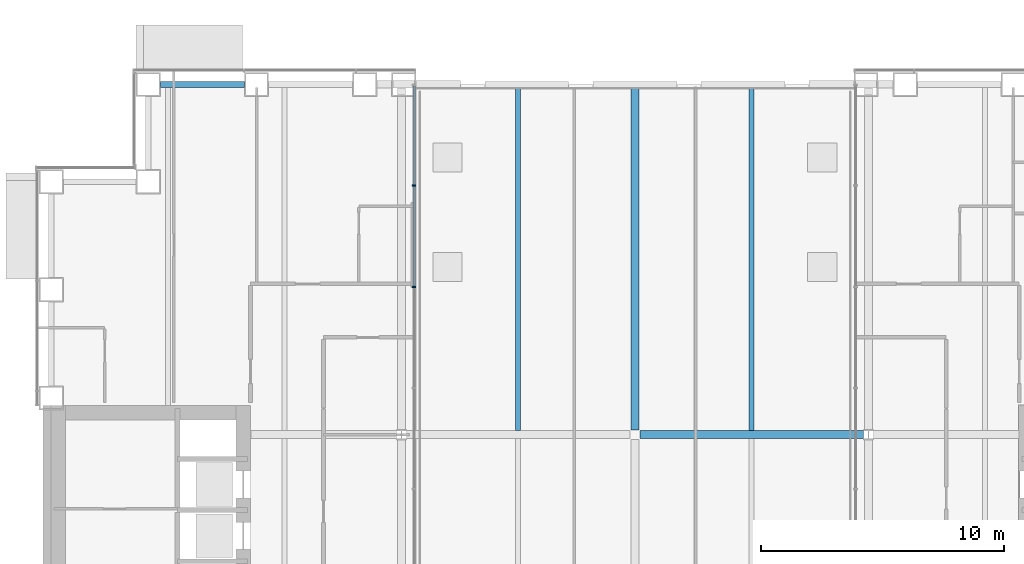
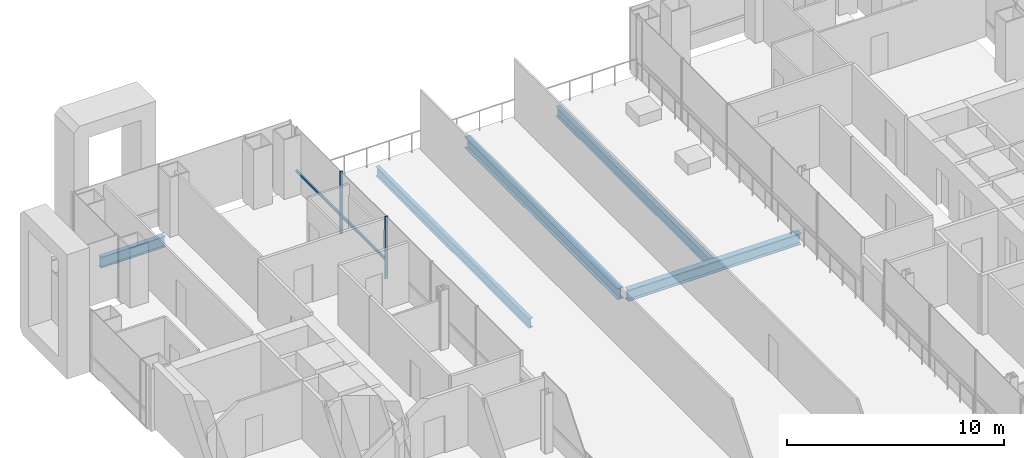
# One storey, part 8 of 24: 5 beams, 4 members, 1 element without a shape of its own.
"""IFC4 building model written with IfcOpenShell, lengths in metres."""

from ifc_helpers import new_model, si_unit, direction, frame, origin, origin_2d, place, context, subcontext, project, spatial, rectangle, i_section, extrude, material, material_profile, profile_set, type_object, element, aggregate, save


model = new_model("IFC4")

# Units and contexts
model_context = context("Model", 3, precision=1e-05, world=origin(), true_north=direction((0.0, 1.0)))
body_context = subcontext(model_context, "Body", "Model", "MODEL_VIEW")
ifc_project = project(units=[si_unit("LENGTHUNIT", "METRE"), si_unit("AREAUNIT", "SQUARE_METRE"), si_unit("VOLUMEUNIT", "CUBIC_METRE"), si_unit("PLANEANGLEUNIT", "RADIAN"), si_unit("MASSUNIT", "GRAM", prefix="KILO")], contexts=[model_context])

# Site, building, storey
site_placement = place(None, origin())
site = spatial("IfcSite", under=ifc_project, at=site_placement, CompositionType="ELEMENT")
building_placement = place(site_placement, origin())
building = spatial("IfcBuilding", under=site, at=building_placement, Name="Cobrizo Arcos Hotel Tower", CompositionType="ELEMENT")
storey_placement = place(building_placement, frame((0.0, 0.0, 60.0)))
storey = spatial("IfcBuildingStorey", under=building, at=storey_placement, Name="L13", CompositionType="ELEMENT", Elevation=60.0)

# Curtain wall, members
ifc_material_1 = material(Name="Aluminium 6063-T6 anodised bronze", Category="aluminium")
curtain_wall_type = type_object("IfcCurtainWallType", Name="CW-F void screen", PredefinedType="NOTDEFINED", material=ifc_material_1)
curtain_wall_placement = place(storey_placement, origin())
curtain_wall = element("IfcCurtainWall", 1, at=curtain_wall_placement, inside=storey, type_object=curtain_wall_type, Name="CW-F L13 void screen A", PredefinedType="NOTDEFINED")
ifc_material_profile_1 = material_profile(ifc_material_1, rectangle(XDim=0.14990234375, YDim=0.06005859375, at=origin_2d()), Name="CW-F mullion 150x60")
ifc_profile_set_1 = profile_set([ifc_material_profile_1], Name="Aluminium 6063-T6 anodised bronze")
member_type_1 = type_object("IfcMemberType", Name="CW-F mullion 150x60", PredefinedType="MULLION", material=ifc_profile_set_1)
member_1_placement = place(storey_placement, frame((-9.074951171875, 19.840087890625, 0.0), z_axis=(0.0, 0.0, 1.0), x_axis=(-1.0, 0.0, 0.0)))
member_1 = element("IfcMember", 2, at=member_1_placement, type_object=member_type_1, Name="CW-F mullion 2", PredefinedType="MULLION", context=body_context, shape_type="SweptSolid", body=[
    extrude(rectangle(XDim=0.14990234375, YDim=0.06005859375, at=origin_2d()), origin(), (0.0, 0.0, 1.0), 3.5),
])
member_2_placement = place(storey_placement, frame((-9.074951171875, 15.679931640625, 0.0), z_axis=(0.0, 0.0, 1.0), x_axis=(-1.0, 0.0, 0.0)))
member_2 = element("IfcMember", 3, at=member_2_placement, type_object=member_type_1, Name="CW-F mullion 3", PredefinedType="MULLION", context=body_context, shape_type="SweptSolid", body=[
    extrude(rectangle(XDim=0.14990234375, YDim=0.06005859375, at=origin_2d()), origin(), (0.0, 0.0, 1.0), 3.5),
])
ifc_material_profile_2 = material_profile(ifc_material_1, rectangle(XDim=0.10009765625, YDim=0.1201171875, at=origin_2d()), Name="CW-F transom 120x100")
ifc_profile_set_2 = profile_set([ifc_material_profile_2], Name="Aluminium 6063-T6 anodised bronze")
member_type_2 = type_object("IfcMemberType", Name="CW-F transom 120x100", PredefinedType="USERDEFINED", material=ifc_profile_set_2)
member_3_placement = place(storey_placement, frame((-9.074951171875, 23.93994140625, 1.050048828125), z_axis=(0.0, -1.0, 0.0), x_axis=(1.0, 0.0, 0.0)))
member_3 = element("IfcMember", 4, at=member_3_placement, type_object=member_type_2, Name="CW-F transom 2437", ObjectType="TRANSOM", PredefinedType="USERDEFINED", context=body_context, shape_type="SweptSolid", body=[
    extrude(rectangle(XDim=0.10009765625, YDim=0.1201171875, at=origin_2d()), origin(), (0.0, 0.0, 1.0), 4.06982421875),
])
member_4_placement = place(storey_placement, frame((-9.074951171875, 19.81005859375, 1.050048828125), z_axis=(0.0, -1.0, 0.0), x_axis=(1.0, 0.0, 0.0)))
member_4 = element("IfcMember", 5, at=member_4_placement, type_object=member_type_2, Name="CW-F transom 2438", ObjectType="TRANSOM", PredefinedType="USERDEFINED", context=body_context, shape_type="SweptSolid", body=[
    extrude(rectangle(XDim=0.10009765625, YDim=0.1201171875, at=origin_2d()), origin(), (0.0, 0.0, 1.0), 4.10009765625),
])
aggregate(curtain_wall, [member_1, member_2, member_3, member_4])

# Beams
ifc_material_2 = material(Name="Steel ASTM A992 Grade 50", Category="steel")
ifc_material_profile_3 = material_profile(ifc_material_2, i_section(OverallWidth=0.209228515625, OverallDepth=0.533447265625, WebThickness=0.01025390625, FlangeThickness=0.015625, at=origin_2d()), Name="W21X62")
ifc_profile_set_3 = profile_set([ifc_material_profile_3], Name="Steel ASTM A992 Grade 50")
beam_type_1 = type_object("IfcBeamType", Name="W21X62 joist", PredefinedType="JOIST", material=ifc_profile_set_3)
for number, where, z_axis, x_axis, name in (
    (6, (-4.800048828125, 9.763916015625, -0.416748046875), (0.0, 1.0, 0.0), (-1.0, 0.0, 0.0), "Floor joist J1, L13, no. 010"),
    (7, (4.800048828125, 9.763916015625, -0.416748046875), (0.0, 1.0, 0.0), (-1.0, 0.0, 0.0), "Floor joist J1, L13, no. 014"),
):
    element("IfcBeam", number, at=place(storey_placement, frame(where, z_axis=z_axis, x_axis=x_axis)), inside=storey, type_object=beam_type_1, Name=name, PredefinedType="JOIST", context=body_context, shape_type="SweptSolid", body=[
        extrude(i_section(OverallWidth=0.209228515625, OverallDepth=0.533447265625, WebThickness=0.01025390625, FlangeThickness=0.015625, at=origin_2d()), origin(), (0.0, 0.0, 1.0), 14.14599609375),
    ])
ifc_material_profile_4 = material_profile(ifc_material_2, i_section(OverallWidth=0.32763671875, OverallDepth=0.622314453125, WebThickness=0.015380859375, FlangeThickness=0.0244140625, at=origin_2d()), Name="W24X131")
ifc_profile_set_4 = profile_set([ifc_material_profile_4], Name="Steel ASTM A992 Grade 50")
beam_type_2 = type_object("IfcBeamType", Name="W24X131 girder", PredefinedType="BEAM", material=ifc_profile_set_4)
beam_1_placement = place(storey_placement, frame((0.204345703125, 9.60009765625, -0.461181640625), z_axis=(1.0, 0.0, 0.0), x_axis=(0.0, 1.0, 0.0)))
element("IfcBeam", 8, at=beam_1_placement, inside=storey, type_object=beam_type_2, Name="Floor girder G1, L13, no. 011", PredefinedType="BEAM", context=body_context, shape_type="SweptSolid", body=[
    extrude(i_section(OverallWidth=0.32763671875, OverallDepth=0.622314453125, WebThickness=0.015380859375, FlangeThickness=0.0244140625, at=origin_2d()), origin(), (0.0, 0.0, 1.0), 9.191162109375),
])
beam_2_placement = place(storey_placement, frame((0.0, 9.804443359375, -0.461181640625), z_axis=(0.0, 1.0, 0.0), x_axis=(-1.0, 0.0, 0.0)))
element("IfcBeam", 9, at=beam_2_placement, inside=storey, type_object=beam_type_2, Name="Floor girder G1, L13, no. 020", PredefinedType="BEAM", context=body_context, shape_type="SweptSolid", body=[
    extrude(i_section(OverallWidth=0.32763671875, OverallDepth=0.622314453125, WebThickness=0.015380859375, FlangeThickness=0.0244140625, at=origin_2d()), origin(), (0.0, 0.0, 1.0), 14.10546875),
])
ifc_material_profile_5 = material_profile(ifc_material_2, i_section(OverallWidth=0.23046875, OverallDepth=0.6171875, WebThickness=0.01318359375, FlangeThickness=0.022216796875, at=origin_2d()), Name="W24X94")
ifc_profile_set_5 = profile_set([ifc_material_profile_5], Name="Steel ASTM A992 Grade 50")
beam_type_3 = type_object("IfcBeamType", Name="W24X94 spandrel", PredefinedType="SPANDREL", material=ifc_profile_set_5)
beam_3_placement = place(storey_placement, frame((-16.055908203125, 24.0, -0.45849609375), z_axis=(-1.0, 0.0, 0.0), x_axis=(0.0, -1.0, 0.0)))
element("IfcBeam", 10, at=beam_3_placement, inside=storey, type_object=beam_type_3, Name="Spandrel beam W24X94, L13, no. 022", PredefinedType="SPANDREL", context=body_context, shape_type="SweptSolid", body=[
    extrude(i_section(OverallWidth=0.23046875, OverallDepth=0.6171875, WebThickness=0.01318359375, FlangeThickness=0.022216796875, at=origin_2d()), origin(), (0.0, 0.0, 1.0), 3.444091796875),
])

save(model, "model.ifc")
